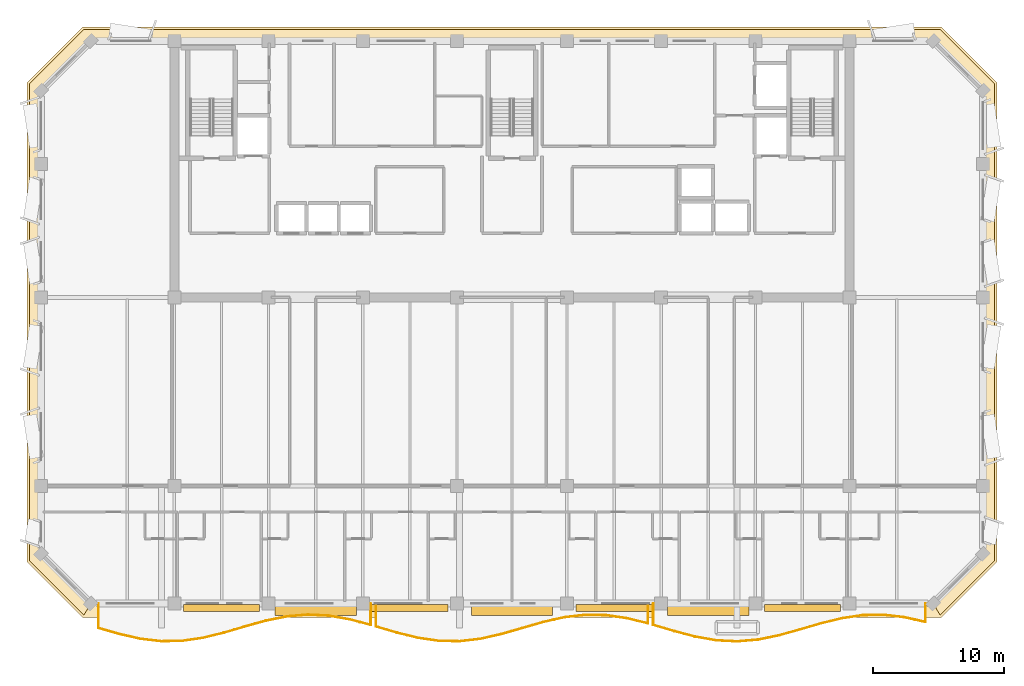
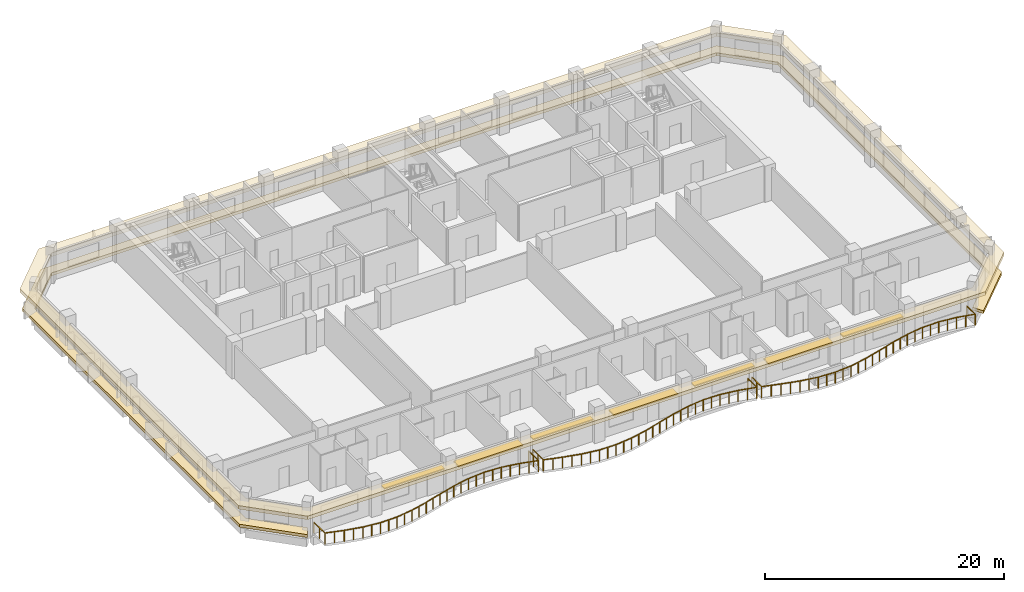
# One storey, part 9 of 11: 7 shading devices, 3 railings, 2 coverings.
"""IFC4 building model written with IfcOpenShell, lengths in metres."""

from ifc_helpers import new_model, si_unit, direction, frame, origin, origin_2d, place, context, subcontext, project, spatial, polyline, rectangle, outline, extrude, material, layer, layer_set, type_object, element, save


model = new_model("IFC4")

# Units and contexts
model_context = context("Model", 3, precision=1e-05, world=origin(), true_north=direction((0.0, 1.0)))
body_context = subcontext(model_context, "Body", "Model", "MODEL_VIEW")
ifc_project = project(units=[si_unit("LENGTHUNIT", "METRE"), si_unit("AREAUNIT", "SQUARE_METRE"), si_unit("VOLUMEUNIT", "CUBIC_METRE"), si_unit("PLANEANGLEUNIT", "RADIAN"), si_unit("MASSUNIT", "GRAM", prefix="KILO")], contexts=[model_context])

# Site, building, storey
site_placement = place(None, origin())
site = spatial("IfcSite", under=ifc_project, at=site_placement, CompositionType="ELEMENT")
building_placement = place(site_placement, origin())
building = spatial("IfcBuilding", under=site, at=building_placement, Name="Kaelvorn Grand Hotel", CompositionType="ELEMENT")
storey_placement = place(building_placement, frame((0.0, 0.0, 241.0)))
storey = spatial("IfcBuildingStorey", under=building, at=storey_placement, Name="L59", CompositionType="ELEMENT", Elevation=241.0)

# Coverings
ifc_material_1 = material(Name="Precast concrete C45/55", Category="concrete")
ifc_layer_1 = layer(ifc_material_1, 0.260009765625)
ifc_layer_set_1 = layer_set([ifc_layer_1], Name="Precast concrete C45/55")
covering_type_1 = type_object("IfcCoveringType", Name="COV-BAND-STREAMLINE-HEAD", PredefinedType="CLADDING", material=ifc_layer_set_1)
covering_1_placement = place(storey_placement, frame((0.0, 0.0, 2.419921875)))
element("IfcCovering", 1, at=covering_1_placement, inside=storey, type_object=covering_type_1, Name="L59 Streamline Moderne Wraparound Horizontal Eyebrow Band", PredefinedType="CLADDING", context=body_context, shape_type="SweptSolid", body=[
    extrude(outline(polyline([(9.18994140625, 4.949951171875), (74.81005859375, 4.949951171875), (79.050048828125, 9.18994140625), (79.050048828125, 45.81005859375), (74.81005859375, 50.050048828125), (9.18994140625, 50.050048828125), (4.949951171875, 45.81005859375), (4.949951171875, 9.18994140625), (9.18994140625, 4.949951171875)]), holes=[polyline([(9.820068359375, 6.030029296875), (74.179931640625, 6.030029296875), (77.969970703125, 9.820068359375), (77.969970703125, 45.179931640625), (74.179931640625, 48.969970703125), (9.820068359375, 48.969970703125), (6.030029296875, 45.179931640625), (6.030029296875, 9.820068359375), (9.820068359375, 6.030029296875)])]), origin(), (0.0, 0.0, 1.0), 0.360107421875),
])
ifc_layer_2 = layer(ifc_material_1, 0.219970703125)
ifc_layer_set_2 = layer_set([ifc_layer_2], Name="Precast concrete C45/55")
covering_type_2 = type_object("IfcCoveringType", Name="COV-BAND-STREAMLINE-SILL", PredefinedType="CLADDING", material=ifc_layer_set_2)
covering_2_placement = place(storey_placement, frame((0.0, 0.0, 0.449951171875)))
element("IfcCovering", 2, at=covering_2_placement, inside=storey, type_object=covering_type_2, Name="L59 Streamline Moderne Wraparound Horizontal Sill Spandrel Band", PredefinedType="CLADDING", context=body_context, shape_type="SweptSolid", body=[
    extrude(outline(polyline([(74.715576171875, 5.1201171875), (78.8798828125, 9.284423828125), (78.8798828125, 45.715576171875), (74.715576171875, 49.8798828125), (9.284423828125, 49.8798828125), (5.1201171875, 45.715576171875), (5.1201171875, 9.284423828125), (9.284423828125, 5.1201171875), (9.817626953125, 6.030029296875), (6.030029296875, 9.817626953125), (6.030029296875, 45.182373046875), (9.817626953125, 48.969970703125), (74.182373046875, 48.969970703125), (77.969970703125, 45.182373046875), (77.969970703125, 9.817626953125), (74.182373046875, 6.030029296875), (74.715576171875, 5.1201171875)])), origin(), (0.0, 0.0, 1.0), 0.300048828125),
])

# Railings
ifc_material_2 = material(Name="Stainless Steel", Category="steel")
railing_type = type_object("IfcRailingType", Name="RL-BALC-1150", PredefinedType="BALUSTRADE", material=ifc_material_2)
railing_1_placement = place(storey_placement, frame((10.39990234375, 6.0, 0.0)))
element("IfcRailing", 3, at=railing_1_placement, inside=storey, type_object=railing_type, Name="L59 Scalloped Wave Balcony Balustrade GR1-1", PredefinedType="BALUSTRADE", context=body_context, shape_type="SweptSolid", body=[
    extrude(rectangle(XDim=0.048095703125, YDim=0.048095703125, at=origin_2d()), frame((0.0, 0.0, 1.1259765625), z_axis=(0.0, -1.0, 0.0), x_axis=(1.0, 0.0, 0.0)), (0.0, 0.0, 1.0), 1.875),
    extrude(rectangle(XDim=0.048095703125, YDim=0.048095703125, at=origin_2d()), frame((0.0, -1.875, 1.1259765625), z_axis=(0.961080011817, -0.276270177337, 0.0), x_axis=(0.276270177337, 0.961080011817, 0.0)), (0.0, 0.0, 1.0), 1.664794921875),
    extrude(rectangle(XDim=0.048095703125, YDim=0.048095703125, at=origin_2d()), frame((1.60009765625, -2.3349609375, 1.1259765625), z_axis=(0.975310880035, -0.220836335974, 0.0), x_axis=(0.220836335974, 0.975310880035, 0.0)), (0.0, 0.0, 1.0), 1.640625),
    extrude(rectangle(XDim=0.048095703125, YDim=0.048095703125, at=origin_2d()), frame((3.2001953125, -2.697265625, 1.1259765625), z_axis=(0.993219746963, -0.116252028982, 0.0), x_axis=(0.116252028982, 0.993219746963, 0.0)), (0.0, 0.0, 1.0), 1.61083984375),
    extrude(rectangle(XDim=0.048095703125, YDim=0.048095703125, at=origin_2d()), frame((4.800048828125, -2.884521484375, 1.1259765625), z_axis=(0.999851400549, 0.017238817251, 0.0), x_axis=(-0.017238817251, 0.999851400549, 0.0)), (0.0, 0.0, 1.0), 1.600341796875),
    extrude(rectangle(XDim=0.048095703125, YDim=0.048095703125, at=origin_2d()), frame((6.400146484375, -2.85693359375, 1.1259765625), z_axis=(0.989264976248, 0.146132839464, 0.0), x_axis=(-0.146132839464, 0.989264976248, 0.0)), (0.0, 0.0, 1.0), 1.6171875),
    extrude(rectangle(XDim=0.048095703125, YDim=0.048095703125, at=origin_2d()), frame((8.0, -2.62060546875, 1.1259765625), z_axis=(0.970852806052, 0.239676509031, 0.0), x_axis=(-0.239676509031, 0.970852806052, 0.0)), (0.0, 0.0, 1.0), 1.648193359375),
    extrude(rectangle(XDim=0.048095703125, YDim=0.048095703125, at=origin_2d()), frame((9.60009765625, -2.2255859375, 1.1259765625), z_axis=(0.959549471235, 0.281540072198, 0.0), x_axis=(-0.281540072198, 0.959549471235, 0.0)), (0.0, 0.0, 1.0), 1.66748046875),
    extrude(rectangle(XDim=0.048095703125, YDim=0.048095703125, at=origin_2d()), frame((11.2001953125, -1.756103515625, 1.1259765625), z_axis=(0.963528441565, 0.267605945925, 0.0), x_axis=(-0.267605945925, 0.963528441565, 0.0)), (0.0, 0.0, 1.0), 1.660400390625),
    extrude(rectangle(XDim=0.048095703125, YDim=0.048095703125, at=origin_2d()), frame((12.800048828125, -1.311767578125, 1.1259765625), z_axis=(0.980053810623, 0.19873230307, 0.0), x_axis=(-0.19873230307, 0.980053810623, 0.0)), (0.0, 0.0, 1.0), 1.632568359375),
    extrude(rectangle(XDim=0.048095703125, YDim=0.048095703125, at=origin_2d()), frame((14.400146484375, -0.9873046875, 1.1259765625), z_axis=(0.996432640647, 0.084391899215, 0.0), x_axis=(-0.084391899215, 0.996432640647, 0.0)), (0.0, 0.0, 1.0), 1.60546875),
    extrude(rectangle(XDim=0.048095703125, YDim=0.048095703125, at=origin_2d()), frame((16.0, -0.851806640625, 1.1259765625), z_axis=(0.998688462717, -0.051199164399, 0.0), x_axis=(0.051199164399, 0.998688462717, 0.0)), (0.0, 0.0, 1.0), 1.602294921875),
    extrude(rectangle(XDim=0.048095703125, YDim=0.048095703125, at=origin_2d()), frame((17.60009765625, -0.933837890625, 1.1259765625), z_axis=(0.984798681851, -0.173699614925, 0.0), x_axis=(0.173699614925, 0.984798681851, 0.0)), (0.0, 0.0, 1.0), 1.624755859375),
    extrude(rectangle(XDim=0.048095703125, YDim=0.048095703125, at=origin_2d()), frame((19.2001953125, -1.216064453125, 1.1259765625), z_axis=(0.966837134786, -0.255393725059, 0.0), x_axis=(0.255393725059, 0.966837134786, 0.0)), (0.0, 0.0, 1.0), 1.65478515625),
    extrude(rectangle(XDim=0.048095703125, YDim=0.048095703125, at=origin_2d()), frame((20.800048828125, -1.638671875, 1.1259765625), z_axis=(0.0, 1.0, 0.0), x_axis=(-1.0, 0.0, 0.0)), (0.0, 0.0, 1.0), 1.638671875),
    extrude(rectangle(XDim=0.0419921875, YDim=0.0419921875, at=origin_2d()), origin(), (0.0, 0.0, 1.0), 1.101806640625),
    extrude(rectangle(XDim=0.0419921875, YDim=0.0419921875, at=origin_2d()), frame((0.0, -0.9375, 0.0)), (0.0, 0.0, 1.0), 1.101806640625),
    extrude(rectangle(XDim=0.0419921875, YDim=0.0419921875, at=origin_2d()), frame((0.0, -1.875, 0.0)), (0.0, 0.0, 1.0), 1.101806640625),
    extrude(rectangle(XDim=0.0419921875, YDim=0.0419921875, at=origin_2d()), frame((0.800048828125, -2.10498046875, 0.0)), (0.0, 0.0, 1.0), 1.101806640625),
    extrude(rectangle(XDim=0.0419921875, YDim=0.0419921875, at=origin_2d()), frame((1.60009765625, -2.3349609375, 0.0)), (0.0, 0.0, 1.0), 1.101806640625),
    extrude(rectangle(XDim=0.0419921875, YDim=0.0419921875, at=origin_2d()), frame((2.400146484375, -2.51611328125, 0.0)), (0.0, 0.0, 1.0), 1.101806640625),
    extrude(rectangle(XDim=0.0419921875, YDim=0.0419921875, at=origin_2d()), frame((3.2001953125, -2.697265625, 0.0)), (0.0, 0.0, 1.0), 1.101806640625),
    extrude(rectangle(XDim=0.0419921875, YDim=0.0419921875, at=origin_2d()), frame((4.0, -2.791015625, 0.0)), (0.0, 0.0, 1.0), 1.101806640625),
    extrude(rectangle(XDim=0.0419921875, YDim=0.0419921875, at=origin_2d()), frame((4.800048828125, -2.884521484375, 0.0)), (0.0, 0.0, 1.0), 1.101806640625),
    extrude(rectangle(XDim=0.0419921875, YDim=0.0419921875, at=origin_2d()), frame((5.60009765625, -2.87060546875, 0.0)), (0.0, 0.0, 1.0), 1.101806640625),
    extrude(rectangle(XDim=0.0419921875, YDim=0.0419921875, at=origin_2d()), frame((6.400146484375, -2.85693359375, 0.0)), (0.0, 0.0, 1.0), 1.101806640625),
    extrude(rectangle(XDim=0.0419921875, YDim=0.0419921875, at=origin_2d()), frame((7.2001953125, -2.73876953125, 0.0)), (0.0, 0.0, 1.0), 1.101806640625),
    extrude(rectangle(XDim=0.0419921875, YDim=0.0419921875, at=origin_2d()), frame((8.0, -2.62060546875, 0.0)), (0.0, 0.0, 1.0), 1.101806640625),
    extrude(rectangle(XDim=0.0419921875, YDim=0.0419921875, at=origin_2d()), frame((8.800048828125, -2.423095703125, 0.0)), (0.0, 0.0, 1.0), 1.101806640625),
    extrude(rectangle(XDim=0.0419921875, YDim=0.0419921875, at=origin_2d()), frame((9.60009765625, -2.2255859375, 0.0)), (0.0, 0.0, 1.0), 1.101806640625),
    extrude(rectangle(XDim=0.0419921875, YDim=0.0419921875, at=origin_2d()), frame((10.400146484375, -1.99072265625, 0.0)), (0.0, 0.0, 1.0), 1.101806640625),
    extrude(rectangle(XDim=0.0419921875, YDim=0.0419921875, at=origin_2d()), frame((11.2001953125, -1.756103515625, 0.0)), (0.0, 0.0, 1.0), 1.101806640625),
    extrude(rectangle(XDim=0.0419921875, YDim=0.0419921875, at=origin_2d()), frame((12.0, -1.533935546875, 0.0)), (0.0, 0.0, 1.0), 1.101806640625),
    extrude(rectangle(XDim=0.0419921875, YDim=0.0419921875, at=origin_2d()), frame((12.800048828125, -1.311767578125, 0.0)), (0.0, 0.0, 1.0), 1.101806640625),
    extrude(rectangle(XDim=0.0419921875, YDim=0.0419921875, at=origin_2d()), frame((13.60009765625, -1.1494140625, 0.0)), (0.0, 0.0, 1.0), 1.101806640625),
    extrude(rectangle(XDim=0.0419921875, YDim=0.0419921875, at=origin_2d()), frame((14.400146484375, -0.9873046875, 0.0)), (0.0, 0.0, 1.0), 1.101806640625),
    extrude(rectangle(XDim=0.0419921875, YDim=0.0419921875, at=origin_2d()), frame((15.2001953125, -0.91943359375, 0.0)), (0.0, 0.0, 1.0), 1.101806640625),
    extrude(rectangle(XDim=0.0419921875, YDim=0.0419921875, at=origin_2d()), frame((16.0, -0.851806640625, 0.0)), (0.0, 0.0, 1.0), 1.101806640625),
    extrude(rectangle(XDim=0.0419921875, YDim=0.0419921875, at=origin_2d()), frame((16.800048828125, -0.892822265625, 0.0)), (0.0, 0.0, 1.0), 1.101806640625),
    extrude(rectangle(XDim=0.0419921875, YDim=0.0419921875, at=origin_2d()), frame((17.60009765625, -0.933837890625, 0.0)), (0.0, 0.0, 1.0), 1.101806640625),
    extrude(rectangle(XDim=0.0419921875, YDim=0.0419921875, at=origin_2d()), frame((18.400146484375, -1.074951171875, 0.0)), (0.0, 0.0, 1.0), 1.101806640625),
    extrude(rectangle(XDim=0.0419921875, YDim=0.0419921875, at=origin_2d()), frame((19.2001953125, -1.216064453125, 0.0)), (0.0, 0.0, 1.0), 1.101806640625),
    extrude(rectangle(XDim=0.0419921875, YDim=0.0419921875, at=origin_2d()), frame((20.0, -1.42724609375, 0.0)), (0.0, 0.0, 1.0), 1.101806640625),
    extrude(rectangle(XDim=0.0419921875, YDim=0.0419921875, at=origin_2d()), frame((20.800048828125, -1.638671875, 0.0)), (0.0, 0.0, 1.0), 1.101806640625),
    extrude(rectangle(XDim=0.0419921875, YDim=0.0419921875, at=origin_2d()), frame((20.800048828125, -0.8193359375, 0.0)), (0.0, 0.0, 1.0), 1.101806640625),
    extrude(rectangle(XDim=0.0419921875, YDim=0.0419921875, at=origin_2d()), frame((20.800048828125, 0.0, 0.0)), (0.0, 0.0, 1.0), 1.101806640625),
])
railing_2_placement = place(storey_placement, frame((31.60009765625, 6.0, 0.0)))
element("IfcRailing", 4, at=railing_2_placement, inside=storey, type_object=railing_type, Name="L59 Scalloped Wave Balcony Balustrade GR1-2", PredefinedType="BALUSTRADE", context=body_context, shape_type="SweptSolid", body=[
    extrude(rectangle(XDim=0.048095703125, YDim=0.048095703125, at=origin_2d()), frame((0.0, 0.0, 1.1259765625), z_axis=(0.0, -1.0, 0.0), x_axis=(1.0, 0.0, 0.0)), (0.0, 0.0, 1.0), 1.756103515625),
    extrude(rectangle(XDim=0.048095703125, YDim=0.048095703125, at=origin_2d()), frame((0.0, -1.756103515625, 1.1259765625), z_axis=(0.95953786389, -0.281579629522, 0.0), x_axis=(0.281579629522, 0.95953786389, 0.0)), (0.0, 0.0, 1.0), 1.667236328125),
    extrude(rectangle(XDim=0.048095703125, YDim=0.048095703125, at=origin_2d()), frame((1.599853515625, -2.2255859375, 1.1259765625), z_axis=(0.970852806052, -0.239676509031, 0.0), x_axis=(0.239676509031, 0.970852806052, 0.0)), (0.0, 0.0, 1.0), 1.648193359375),
    extrude(rectangle(XDim=0.048095703125, YDim=0.048095703125, at=origin_2d()), frame((3.199951171875, -2.62060546875, 1.1259765625), z_axis=(0.989264976248, -0.146132839464, 0.0), x_axis=(0.146132839464, 0.989264976248, 0.0)), (0.0, 0.0, 1.0), 1.6171875),
    extrude(rectangle(XDim=0.048095703125, YDim=0.048095703125, at=origin_2d()), frame((4.7998046875, -2.85693359375, 1.1259765625), z_axis=(0.999851400549, -0.017238817251, 0.0), x_axis=(0.017238817251, 0.999851400549, 0.0)), (0.0, 0.0, 1.0), 1.600341796875),
    extrude(rectangle(XDim=0.048095703125, YDim=0.048095703125, at=origin_2d()), frame((6.39990234375, -2.884521484375, 1.1259765625), z_axis=(0.993221794861, 0.116234531074, 0.0), x_axis=(-0.116234531074, 0.993221794861, 0.0)), (0.0, 0.0, 1.0), 1.611083984375),
    extrude(rectangle(XDim=0.048095703125, YDim=0.048095703125, at=origin_2d()), frame((8.0, -2.697265625, 1.1259765625), z_axis=(0.97530362111, 0.220868392145, 0.0), x_axis=(-0.220868392145, 0.97530362111, 0.0)), (0.0, 0.0, 1.0), 1.640380859375),
    extrude(rectangle(XDim=0.048095703125, YDim=0.048095703125, at=origin_2d()), frame((9.599853515625, -2.3349609375, 1.1259765625), z_axis=(0.961080011817, 0.276270177337, 0.0), x_axis=(-0.276270177337, 0.961080011817, 0.0)), (0.0, 0.0, 1.0), 1.664794921875),
    extrude(rectangle(XDim=0.048095703125, YDim=0.048095703125, at=origin_2d()), frame((11.199951171875, -1.875, 1.1259765625), z_axis=(0.961068817105, 0.276309118179, 0.0), x_axis=(-0.276309118179, 0.961068817105, 0.0)), (0.0, 0.0, 1.0), 1.66455078125),
    extrude(rectangle(XDim=0.048095703125, YDim=0.048095703125, at=origin_2d()), frame((12.7998046875, -1.4150390625, 1.1259765625), z_axis=(0.975310880035, 0.220836335974, 0.0), x_axis=(-0.220836335974, 0.975310880035, 0.0)), (0.0, 0.0, 1.0), 1.640625),
    extrude(rectangle(XDim=0.048095703125, YDim=0.048095703125, at=origin_2d()), frame((14.39990234375, -1.052734375, 1.1259765625), z_axis=(0.993221794861, 0.116234531074, 0.0), x_axis=(-0.116234531074, 0.993221794861, 0.0)), (0.0, 0.0, 1.0), 1.611083984375),
    extrude(rectangle(XDim=0.048095703125, YDim=0.048095703125, at=origin_2d()), frame((16.0, -0.865478515625, 1.1259765625), z_axis=(0.999851355203, -0.017241447144, 0.0), x_axis=(0.017241447144, 0.999851355203, 0.0)), (0.0, 0.0, 1.0), 1.60009765625),
    extrude(rectangle(XDim=0.048095703125, YDim=0.048095703125, at=origin_2d()), frame((17.599853515625, -0.89306640625, 1.1259765625), z_axis=(0.989268199326, -0.146111018759, 0.0), x_axis=(0.146111018759, 0.989268199326, 0.0)), (0.0, 0.0, 1.0), 1.617431640625),
    extrude(rectangle(XDim=0.048095703125, YDim=0.048095703125, at=origin_2d()), frame((19.199951171875, -1.12939453125, 1.1259765625), z_axis=(0.970844294836, -0.23971098261, 0.0), x_axis=(0.23971098261, 0.970844294836, 0.0)), (0.0, 0.0, 1.0), 1.64794921875),
    extrude(rectangle(XDim=0.048095703125, YDim=0.048095703125, at=origin_2d()), frame((20.7998046875, -1.5244140625, 1.1259765625), z_axis=(0.0, 1.0, 0.0), x_axis=(-1.0, 0.0, 0.0)), (0.0, 0.0, 1.0), 1.5244140625),
    extrude(rectangle(XDim=0.0419921875, YDim=0.0419921875, at=origin_2d()), origin(), (0.0, 0.0, 1.0), 1.101806640625),
    extrude(rectangle(XDim=0.0419921875, YDim=0.0419921875, at=origin_2d()), frame((0.0, -0.8779296875, 0.0)), (0.0, 0.0, 1.0), 1.101806640625),
    extrude(rectangle(XDim=0.0419921875, YDim=0.0419921875, at=origin_2d()), frame((0.0, -1.756103515625, 0.0)), (0.0, 0.0, 1.0), 1.101806640625),
    extrude(rectangle(XDim=0.0419921875, YDim=0.0419921875, at=origin_2d()), frame((0.7998046875, -1.99072265625, 0.0)), (0.0, 0.0, 1.0), 1.101806640625),
    extrude(rectangle(XDim=0.0419921875, YDim=0.0419921875, at=origin_2d()), frame((1.599853515625, -2.2255859375, 0.0)), (0.0, 0.0, 1.0), 1.101806640625),
    extrude(rectangle(XDim=0.0419921875, YDim=0.0419921875, at=origin_2d()), frame((2.39990234375, -2.423095703125, 0.0)), (0.0, 0.0, 1.0), 1.101806640625),
    extrude(rectangle(XDim=0.0419921875, YDim=0.0419921875, at=origin_2d()), frame((3.199951171875, -2.62060546875, 0.0)), (0.0, 0.0, 1.0), 1.101806640625),
    extrude(rectangle(XDim=0.0419921875, YDim=0.0419921875, at=origin_2d()), frame((4.0, -2.73876953125, 0.0)), (0.0, 0.0, 1.0), 1.101806640625),
    extrude(rectangle(XDim=0.0419921875, YDim=0.0419921875, at=origin_2d()), frame((4.7998046875, -2.85693359375, 0.0)), (0.0, 0.0, 1.0), 1.101806640625),
    extrude(rectangle(XDim=0.0419921875, YDim=0.0419921875, at=origin_2d()), frame((5.599853515625, -2.87060546875, 0.0)), (0.0, 0.0, 1.0), 1.101806640625),
    extrude(rectangle(XDim=0.0419921875, YDim=0.0419921875, at=origin_2d()), frame((6.39990234375, -2.884521484375, 0.0)), (0.0, 0.0, 1.0), 1.101806640625),
    extrude(rectangle(XDim=0.0419921875, YDim=0.0419921875, at=origin_2d()), frame((7.199951171875, -2.791015625, 0.0)), (0.0, 0.0, 1.0), 1.101806640625),
    extrude(rectangle(XDim=0.0419921875, YDim=0.0419921875, at=origin_2d()), frame((8.0, -2.697265625, 0.0)), (0.0, 0.0, 1.0), 1.101806640625),
    extrude(rectangle(XDim=0.0419921875, YDim=0.0419921875, at=origin_2d()), frame((8.7998046875, -2.51611328125, 0.0)), (0.0, 0.0, 1.0), 1.101806640625),
    extrude(rectangle(XDim=0.0419921875, YDim=0.0419921875, at=origin_2d()), frame((9.599853515625, -2.3349609375, 0.0)), (0.0, 0.0, 1.0), 1.101806640625),
    extrude(rectangle(XDim=0.0419921875, YDim=0.0419921875, at=origin_2d()), frame((10.39990234375, -2.10498046875, 0.0)), (0.0, 0.0, 1.0), 1.101806640625),
    extrude(rectangle(XDim=0.0419921875, YDim=0.0419921875, at=origin_2d()), frame((11.199951171875, -1.875, 0.0)), (0.0, 0.0, 1.0), 1.101806640625),
    extrude(rectangle(XDim=0.0419921875, YDim=0.0419921875, at=origin_2d()), frame((12.0, -1.64501953125, 0.0)), (0.0, 0.0, 1.0), 1.101806640625),
    extrude(rectangle(XDim=0.0419921875, YDim=0.0419921875, at=origin_2d()), frame((12.7998046875, -1.4150390625, 0.0)), (0.0, 0.0, 1.0), 1.101806640625),
    extrude(rectangle(XDim=0.0419921875, YDim=0.0419921875, at=origin_2d()), frame((13.599853515625, -1.23388671875, 0.0)), (0.0, 0.0, 1.0), 1.101806640625),
    extrude(rectangle(XDim=0.0419921875, YDim=0.0419921875, at=origin_2d()), frame((14.39990234375, -1.052734375, 0.0)), (0.0, 0.0, 1.0), 1.101806640625),
    extrude(rectangle(XDim=0.0419921875, YDim=0.0419921875, at=origin_2d()), frame((15.199951171875, -0.958984375, 0.0)), (0.0, 0.0, 1.0), 1.101806640625),
    extrude(rectangle(XDim=0.0419921875, YDim=0.0419921875, at=origin_2d()), frame((16.0, -0.865478515625, 0.0)), (0.0, 0.0, 1.0), 1.101806640625),
    extrude(rectangle(XDim=0.0419921875, YDim=0.0419921875, at=origin_2d()), frame((16.7998046875, -0.87939453125, 0.0)), (0.0, 0.0, 1.0), 1.101806640625),
    extrude(rectangle(XDim=0.0419921875, YDim=0.0419921875, at=origin_2d()), frame((17.599853515625, -0.89306640625, 0.0)), (0.0, 0.0, 1.0), 1.101806640625),
    extrude(rectangle(XDim=0.0419921875, YDim=0.0419921875, at=origin_2d()), frame((18.39990234375, -1.01123046875, 0.0)), (0.0, 0.0, 1.0), 1.101806640625),
    extrude(rectangle(XDim=0.0419921875, YDim=0.0419921875, at=origin_2d()), frame((19.199951171875, -1.12939453125, 0.0)), (0.0, 0.0, 1.0), 1.101806640625),
    extrude(rectangle(XDim=0.0419921875, YDim=0.0419921875, at=origin_2d()), frame((20.0, -1.326904296875, 0.0)), (0.0, 0.0, 1.0), 1.101806640625),
    extrude(rectangle(XDim=0.0419921875, YDim=0.0419921875, at=origin_2d()), frame((20.7998046875, -1.5244140625, 0.0)), (0.0, 0.0, 1.0), 1.101806640625),
    extrude(rectangle(XDim=0.0419921875, YDim=0.0419921875, at=origin_2d()), frame((20.7998046875, 0.0, 0.0)), (0.0, 0.0, 1.0), 1.101806640625),
])
railing_3_placement = place(storey_placement, frame((52.800048828125, 6.0, 0.0)))
element("IfcRailing", 5, at=railing_3_placement, inside=storey, type_object=railing_type, Name="L59 Scalloped Wave Balcony Balustrade GR1-3", PredefinedType="BALUSTRADE", context=body_context, shape_type="SweptSolid", body=[
    extrude(rectangle(XDim=0.048095703125, YDim=0.048095703125, at=origin_2d()), frame((0.0, 0.0, 1.1259765625), z_axis=(0.0, -1.0, 0.0), x_axis=(1.0, 0.0, 0.0)), (0.0, 0.0, 1.0), 1.638671875),
    extrude(rectangle(XDim=0.048095703125, YDim=0.048095703125, at=origin_2d()), frame((0.0, -1.638671875, 1.1259765625), z_axis=(0.959022227014, -0.283330845643, 0.0), x_axis=(0.283330845643, 0.959022227014, 0.0)), (0.0, 0.0, 1.0), 1.668212890625),
    extrude(rectangle(XDim=0.048095703125, YDim=0.048095703125, at=origin_2d()), frame((1.599853515625, -2.111328125, 1.1259765625), z_axis=(0.966846756239, -0.255357298604, 0.0), x_axis=(0.255357298604, 0.966846756239, 0.0)), (0.0, 0.0, 1.0), 1.655029296875),
    extrude(rectangle(XDim=0.048095703125, YDim=0.048095703125, at=origin_2d()), frame((3.199951171875, -2.533935546875, 1.1259765625), z_axis=(0.984798681851, -0.173699614925, 0.0), x_axis=(0.173699614925, 0.984798681851, 0.0)), (0.0, 0.0, 1.0), 1.624755859375),
    extrude(rectangle(XDim=0.048095703125, YDim=0.048095703125, at=origin_2d()), frame((4.800048828125, -2.816162109375, 1.1259765625), z_axis=(0.998688063188, -0.051206957002, 0.0), x_axis=(0.051206957002, 0.998688063188, 0.0)), (0.0, 0.0, 1.0), 1.60205078125),
    extrude(rectangle(XDim=0.048095703125, YDim=0.048095703125, at=origin_2d()), frame((6.39990234375, -2.898193359375, 1.1259765625), z_axis=(0.996433723353, 0.084379114504, 0.0), x_axis=(-0.084379114504, 0.996433723353, 0.0)), (0.0, 0.0, 1.0), 1.605712890625),
    extrude(rectangle(XDim=0.048095703125, YDim=0.048095703125, at=origin_2d()), frame((8.0, -2.7626953125, 1.1259765625), z_axis=(0.980047903502, 0.198761431978, 0.0), x_axis=(-0.198761431978, 0.980047903502, 0.0)), (0.0, 0.0, 1.0), 1.63232421875),
    extrude(rectangle(XDim=0.048095703125, YDim=0.048095703125, at=origin_2d()), frame((9.599853515625, -2.438232421875, 1.1259765625), z_axis=(0.963538969025, 0.267568038393, 0.0), x_axis=(-0.267568038393, 0.963538969025, 0.0)), (0.0, 0.0, 1.0), 1.66064453125),
    extrude(rectangle(XDim=0.048095703125, YDim=0.048095703125, at=origin_2d()), frame((11.199951171875, -1.993896484375, 1.1259765625), z_axis=(0.959549471235, 0.281540072198, 0.0), x_axis=(-0.281540072198, 0.959549471235, 0.0)), (0.0, 0.0, 1.0), 1.66748046875),
    extrude(rectangle(XDim=0.048095703125, YDim=0.048095703125, at=origin_2d()), frame((12.800048828125, -1.5244140625, 1.1259765625), z_axis=(0.970844294836, 0.23971098261, 0.0), x_axis=(-0.23971098261, 0.970844294836, 0.0)), (0.0, 0.0, 1.0), 1.64794921875),
    extrude(rectangle(XDim=0.048095703125, YDim=0.048095703125, at=origin_2d()), frame((14.39990234375, -1.12939453125, 1.1259765625), z_axis=(0.989268199326, 0.146111018759, 0.0), x_axis=(-0.146111018759, 0.989268199326, 0.0)), (0.0, 0.0, 1.0), 1.617431640625),
    extrude(rectangle(XDim=0.048095703125, YDim=0.048095703125, at=origin_2d()), frame((16.0, -0.89306640625, 1.1259765625), z_axis=(0.999851355203, 0.017241447144, 0.0), x_axis=(-0.017241447144, 0.999851355203, 0.0)), (0.0, 0.0, 1.0), 1.60009765625),
    extrude(rectangle(XDim=0.048095703125, YDim=0.048095703125, at=origin_2d()), frame((17.599853515625, -0.865478515625, 1.1259765625), z_axis=(0.993221794861, -0.116234531074, 0.0), x_axis=(0.116234531074, 0.993221794861, 0.0)), (0.0, 0.0, 1.0), 1.611083984375),
    extrude(rectangle(XDim=0.048095703125, YDim=0.048095703125, at=origin_2d()), frame((19.199951171875, -1.052734375, 1.1259765625), z_axis=(0.975310880035, -0.220836335974, 0.0), x_axis=(0.220836335974, 0.975310880035, 0.0)), (0.0, 0.0, 1.0), 1.640625),
    extrude(rectangle(XDim=0.048095703125, YDim=0.048095703125, at=origin_2d()), frame((20.800048828125, -1.4150390625, 1.1259765625), z_axis=(0.0, 1.0, 0.0), x_axis=(-1.0, 0.0, 0.0)), (0.0, 0.0, 1.0), 1.4150390625),
    extrude(rectangle(XDim=0.0419921875, YDim=0.0419921875, at=origin_2d()), origin(), (0.0, 0.0, 1.0), 1.101806640625),
    extrude(rectangle(XDim=0.0419921875, YDim=0.0419921875, at=origin_2d()), frame((0.0, -0.8193359375, 0.0)), (0.0, 0.0, 1.0), 1.101806640625),
    extrude(rectangle(XDim=0.0419921875, YDim=0.0419921875, at=origin_2d()), frame((0.0, -1.638671875, 0.0)), (0.0, 0.0, 1.0), 1.101806640625),
    extrude(rectangle(XDim=0.0419921875, YDim=0.0419921875, at=origin_2d()), frame((0.7998046875, -1.875, 0.0)), (0.0, 0.0, 1.0), 1.101806640625),
    extrude(rectangle(XDim=0.0419921875, YDim=0.0419921875, at=origin_2d()), frame((1.599853515625, -2.111328125, 0.0)), (0.0, 0.0, 1.0), 1.101806640625),
    extrude(rectangle(XDim=0.0419921875, YDim=0.0419921875, at=origin_2d()), frame((2.39990234375, -2.32275390625, 0.0)), (0.0, 0.0, 1.0), 1.101806640625),
    extrude(rectangle(XDim=0.0419921875, YDim=0.0419921875, at=origin_2d()), frame((3.199951171875, -2.533935546875, 0.0)), (0.0, 0.0, 1.0), 1.101806640625),
    extrude(rectangle(XDim=0.0419921875, YDim=0.0419921875, at=origin_2d()), frame((4.0, -2.675048828125, 0.0)), (0.0, 0.0, 1.0), 1.101806640625),
    extrude(rectangle(XDim=0.0419921875, YDim=0.0419921875, at=origin_2d()), frame((4.800048828125, -2.816162109375, 0.0)), (0.0, 0.0, 1.0), 1.101806640625),
    extrude(rectangle(XDim=0.0419921875, YDim=0.0419921875, at=origin_2d()), frame((5.60009765625, -2.857177734375, 0.0)), (0.0, 0.0, 1.0), 1.101806640625),
    extrude(rectangle(XDim=0.0419921875, YDim=0.0419921875, at=origin_2d()), frame((6.39990234375, -2.898193359375, 0.0)), (0.0, 0.0, 1.0), 1.101806640625),
    extrude(rectangle(XDim=0.0419921875, YDim=0.0419921875, at=origin_2d()), frame((7.199951171875, -2.83056640625, 0.0)), (0.0, 0.0, 1.0), 1.101806640625),
    extrude(rectangle(XDim=0.0419921875, YDim=0.0419921875, at=origin_2d()), frame((8.0, -2.7626953125, 0.0)), (0.0, 0.0, 1.0), 1.101806640625),
    extrude(rectangle(XDim=0.0419921875, YDim=0.0419921875, at=origin_2d()), frame((8.7998046875, -2.6005859375, 0.0)), (0.0, 0.0, 1.0), 1.101806640625),
    extrude(rectangle(XDim=0.0419921875, YDim=0.0419921875, at=origin_2d()), frame((9.599853515625, -2.438232421875, 0.0)), (0.0, 0.0, 1.0), 1.101806640625),
    extrude(rectangle(XDim=0.0419921875, YDim=0.0419921875, at=origin_2d()), frame((10.39990234375, -2.216064453125, 0.0)), (0.0, 0.0, 1.0), 1.101806640625),
    extrude(rectangle(XDim=0.0419921875, YDim=0.0419921875, at=origin_2d()), frame((11.199951171875, -1.993896484375, 0.0)), (0.0, 0.0, 1.0), 1.101806640625),
    extrude(rectangle(XDim=0.0419921875, YDim=0.0419921875, at=origin_2d()), frame((12.0, -1.75927734375, 0.0)), (0.0, 0.0, 1.0), 1.101806640625),
    extrude(rectangle(XDim=0.0419921875, YDim=0.0419921875, at=origin_2d()), frame((12.800048828125, -1.5244140625, 0.0)), (0.0, 0.0, 1.0), 1.101806640625),
    extrude(rectangle(XDim=0.0419921875, YDim=0.0419921875, at=origin_2d()), frame((13.60009765625, -1.326904296875, 0.0)), (0.0, 0.0, 1.0), 1.101806640625),
    extrude(rectangle(XDim=0.0419921875, YDim=0.0419921875, at=origin_2d()), frame((14.39990234375, -1.12939453125, 0.0)), (0.0, 0.0, 1.0), 1.101806640625),
    extrude(rectangle(XDim=0.0419921875, YDim=0.0419921875, at=origin_2d()), frame((15.199951171875, -1.01123046875, 0.0)), (0.0, 0.0, 1.0), 1.101806640625),
    extrude(rectangle(XDim=0.0419921875, YDim=0.0419921875, at=origin_2d()), frame((16.0, -0.89306640625, 0.0)), (0.0, 0.0, 1.0), 1.101806640625),
    extrude(rectangle(XDim=0.0419921875, YDim=0.0419921875, at=origin_2d()), frame((16.7998046875, -0.87939453125, 0.0)), (0.0, 0.0, 1.0), 1.101806640625),
    extrude(rectangle(XDim=0.0419921875, YDim=0.0419921875, at=origin_2d()), frame((17.599853515625, -0.865478515625, 0.0)), (0.0, 0.0, 1.0), 1.101806640625),
    extrude(rectangle(XDim=0.0419921875, YDim=0.0419921875, at=origin_2d()), frame((18.39990234375, -0.958984375, 0.0)), (0.0, 0.0, 1.0), 1.101806640625),
    extrude(rectangle(XDim=0.0419921875, YDim=0.0419921875, at=origin_2d()), frame((19.199951171875, -1.052734375, 0.0)), (0.0, 0.0, 1.0), 1.101806640625),
    extrude(rectangle(XDim=0.0419921875, YDim=0.0419921875, at=origin_2d()), frame((20.0, -1.23388671875, 0.0)), (0.0, 0.0, 1.0), 1.101806640625),
    extrude(rectangle(XDim=0.0419921875, YDim=0.0419921875, at=origin_2d()), frame((20.800048828125, -1.4150390625, 0.0)), (0.0, 0.0, 1.0), 1.101806640625),
    extrude(rectangle(XDim=0.0419921875, YDim=0.0419921875, at=origin_2d()), frame((20.800048828125, 0.0, 0.0)), (0.0, 0.0, 1.0), 1.101806640625),
])

# Shading devices
ifc_layer_3 = layer(ifc_material_1, 0.1201171875)
ifc_layer_set_3 = layer_set([ifc_layer_3], Name="Precast concrete C45/55")
shading_device_type_1 = type_object("IfcShadingDeviceType", Name="SHD-SUNSHADE-550", PredefinedType="USERDEFINED", material=ifc_layer_set_3)
for number, where, z_axis, x_axis, name in (
    (6, (19.800048828125, 5.655029296875, 2.56005859375), (0.0, 0.0, 1.0), (1.0, 0.0, 0.0), "L59 Horizontal Concrete Sunshade Band SS-03"),
    (7, (34.199951171875, 5.655029296875, 2.56005859375), (0.0, 0.0, 1.0), (1.0, 0.0, 0.0), "L59 Horizontal Concrete Sunshade Band SS-05"),
    (8, (49.800048828125, 5.655029296875, 2.56005859375), (0.0, 0.0, 1.0), (1.0, 0.0, 0.0), "L59 Horizontal Concrete Sunshade Band SS-07"),
    (9, (64.199951171875, 5.655029296875, 2.56005859375), (0.0, 0.0, 1.0), (1.0, 0.0, 0.0), "L59 Horizontal Concrete Sunshade Band SS-09"),
):
    element("IfcShadingDevice", number, at=place(storey_placement, frame(where, z_axis=z_axis, x_axis=x_axis)), inside=storey, type_object=shading_device_type_1, Name=name, ObjectType="SUNSHADE", PredefinedType="USERDEFINED", context=body_context, shape_type="SweptSolid", body=[
        extrude(rectangle(XDim=5.800048828125, YDim=0.550048828125, at=origin_2d()), origin(), (0.0, 0.0, 1.0), 0.1201171875),
    ])
ifc_layer_4 = layer(ifc_material_1, 0.139892578125)
ifc_layer_set_4 = layer_set([ifc_layer_4], Name="Precast concrete C45/55")
shading_device_type_2 = type_object("IfcShadingDeviceType", Name="SHD-SUNSHADE-850", PredefinedType="USERDEFINED", material=ifc_layer_set_4)
for number, where, z_axis, x_axis, name in (
    (10, (27.0, 5.5048828125, 2.55029296875), (0.0, 0.0, 1.0), (1.0, 0.0, 0.0), "L59 Horizontal Concrete Sunshade Band SS-04"),
    (11, (42.0, 5.5048828125, 2.55029296875), (0.0, 0.0, 1.0), (1.0, 0.0, 0.0), "L59 Horizontal Concrete Sunshade Band SS-06"),
    (12, (57.0, 5.5048828125, 2.55029296875), (0.0, 0.0, 1.0), (1.0, 0.0, 0.0), "L59 Horizontal Concrete Sunshade Band SS-08"),
):
    element("IfcShadingDevice", number, at=place(storey_placement, frame(where, z_axis=z_axis, x_axis=x_axis)), inside=storey, type_object=shading_device_type_2, Name=name, ObjectType="SUNSHADE", PredefinedType="USERDEFINED", context=body_context, shape_type="SweptSolid", body=[
        extrude(rectangle(XDim=6.199951171875, YDim=0.85009765625, at=origin_2d()), origin(), (0.0, 0.0, 1.0), 0.139892578125),
    ])

save(model, "model.ifc")
